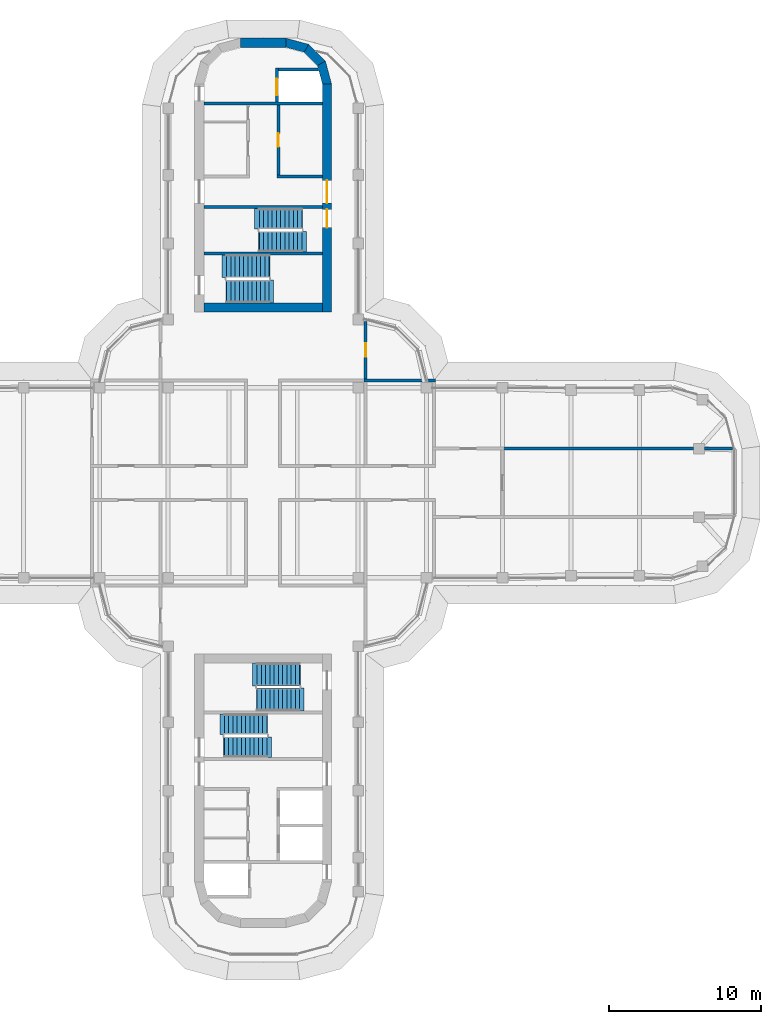
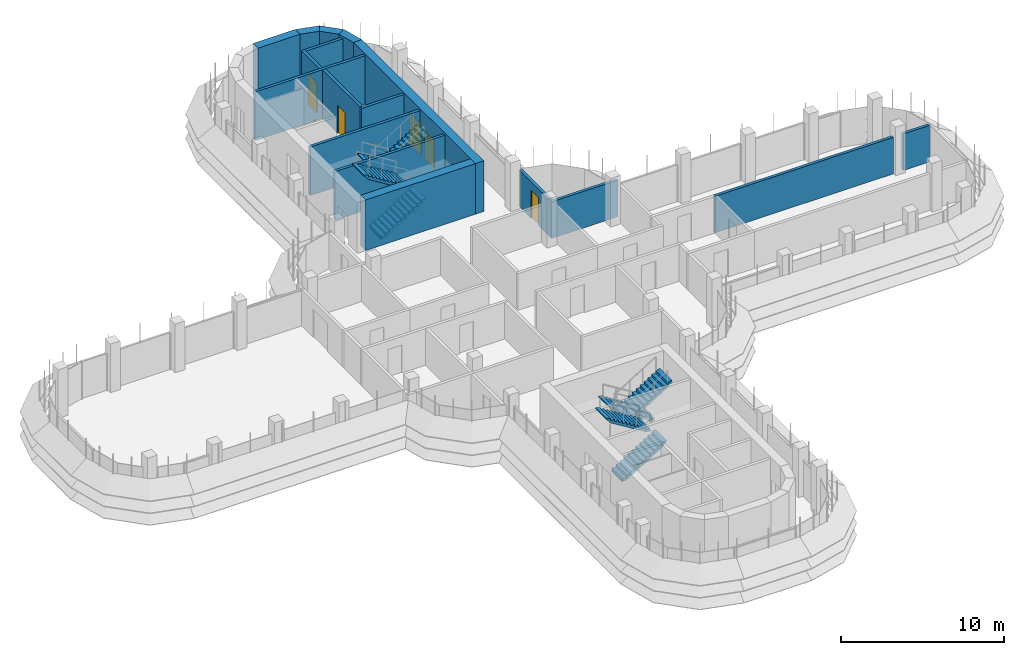
# One storey, part 15 of 19: 17 walls, 8 stair flights, 5 doors, 5 openings, 4 elements without a shape of their own.
"""IFC4 building model written with IfcOpenShell, lengths in metres."""

from ifc_helpers import new_model, si_unit, direction, frame, frame_2d, origin, place, context, subcontext, project, spatial, polyline, rectangle, outline, extrude, material, layer, layer_set, type_object, element, fill, aggregate, save


model = new_model("IFC4")

# Units and contexts
model_context = context("Model", 3, precision=1e-05, world=origin(), true_north=direction((0.0, 1.0)))
body_context = subcontext(model_context, "Body", "Model", "MODEL_VIEW")
ifc_project = project(units=[si_unit("LENGTHUNIT", "METRE"), si_unit("AREAUNIT", "SQUARE_METRE"), si_unit("VOLUMEUNIT", "CUBIC_METRE"), si_unit("PLANEANGLEUNIT", "RADIAN"), si_unit("MASSUNIT", "GRAM", prefix="KILO")], contexts=[model_context])

# Site, building, storey
site_placement = place(None, origin())
site = spatial("IfcSite", under=ifc_project, at=site_placement, CompositionType="ELEMENT")
building_placement = place(site_placement, origin())
building = spatial("IfcBuilding", under=site, at=building_placement, Name="Zarbagh Exchange Tower", CompositionType="ELEMENT")
storey_placement = place(building_placement, frame((0.0, 0.0, 233.39990234375)))
storey = spatial("IfcBuildingStorey", under=building, at=storey_placement, Name="L57", CompositionType="ELEMENT", Elevation=233.39990234375)

# Wall, opening, door
ifc_material_1 = material(Name="Fire-rated plasterboard partition")
ifc_layer_1 = layer(ifc_material_1, 0.199951171875)
ifc_layer_set_1 = layer_set([ifc_layer_1], Name="RATED PARTITION 200")
wall_type_1 = type_object("IfcWallType", Name="RATED PARTITION 200", PredefinedType="PARTITIONING", material=ifc_layer_set_1)
wall_1_placement = place(storey_placement, frame((6.75, 10.6298828125, 0.0), z_axis=(0.0, 0.0, 1.0), x_axis=(0.0, -1.0, 0.0)))
wall_1 = element("IfcWall", 1, at=wall_1_placement, inside=storey, type_object=wall_type_1, Name="Partition W-2515", PredefinedType="PARTITIONING", context=body_context, shape_type="SweptSolid", body=[
    extrude(rectangle(XDim=3.77978515625, YDim=0.199951171875, at=frame_2d((1.889892578125, 0.0))), origin(), (0.0, 0.0, 1.0), 2.745849609375),
])
opening_1_placement = place(wall_1_placement, frame((1.43994140625, 0.0, 0.0)))
opening_1 = element("IfcOpeningElement", 2, at=opening_1_placement, cuts=wall_1, Name="Opening D-2506", PredefinedType="OPENING", context=body_context, shape_type="SweptSolid", body=[
    extrude(rectangle(XDim=0.89990234375, YDim=2.10009765625, at=frame_2d((0.449951171875, 1.050048828125))), frame((0.0, 0.10986328125, 0.0), z_axis=(0.0, -1.0, 0.0), x_axis=(1.0, 0.0, 0.0)), (0.0, 0.0, 1.0), 0.219970703125),
])
ifc_material_2 = material(Name="Timber door leaf", Category="wood")
door_type_1 = type_object("IfcDoorType", Name="DOOR 900 X 2100", OperationType="NOTDEFINED", PredefinedType="DOOR", material=ifc_material_2)
door_1_placement = place(opening_1_placement, origin())
door_1 = element("IfcDoor", 3, at=door_1_placement, inside=storey, type_object=door_type_1, Name="Door D-2506", OperationType="SINGLE_SWING_RIGHT", OverallHeight=2.10009765625, OverallWidth=0.89990234375, PredefinedType="DOOR", context=body_context, shape_type="SweptSolid", body=[
    extrude(rectangle(XDim=0.89990234375, YDim=2.10009765625, at=frame_2d((0.449951171875, 1.050048828125))), frame((0.0, 0.02490234375, 0.0), z_axis=(0.0, -1.0, 0.0), x_axis=(1.0, 0.0, 0.0)), (0.0, 0.0, 1.0), 0.050048828125),
])
fill(opening_1, door_1)

# Walls
wall_2_placement = place(storey_placement, frame((6.64990234375, 6.75, 0.0), z_axis=(0.0, 0.0, 1.0), x_axis=(1.0, 0.0, 0.0)))
element("IfcWall", 4, at=wall_2_placement, inside=storey, type_object=wall_type_1, Name="Partition W-2523", PredefinedType="PARTITIONING", context=body_context, shape_type="SweptSolid", body=[
    extrude(rectangle(XDim=4.7001953125, YDim=0.199951171875, at=frame_2d((2.35009765625, 0.0))), origin(), (0.0, 0.0, 1.0), 2.745849609375),
])
wall_3_placement = place(storey_placement, frame((15.64990234375, 2.25, 0.0), z_axis=(0.0, 0.0, 1.0), x_axis=(1.0, 0.0, 0.0)))
element("IfcWall", 5, at=wall_3_placement, inside=storey, type_object=wall_type_1, Name="Partition W-2538", PredefinedType="PARTITIONING", context=body_context, shape_type="SweptSolid", body=[
    extrude(rectangle(XDim=12.670166015625, YDim=0.199951171875, at=frame_2d((6.3349609375, 0.0))), origin(), (0.0, 0.0, 1.0), 2.745849609375),
])
wall_4_placement = place(storey_placement, frame((29.02001953125, 2.25, 0.0), z_axis=(0.0, 0.0, 1.0), x_axis=(1.0, 0.0, 0.0)))
element("IfcWall", 6, at=wall_4_placement, inside=storey, type_object=wall_type_1, Name="Partition W-2539", PredefinedType="PARTITIONING", context=body_context, shape_type="SweptSolid", body=[
    extrude(rectangle(XDim=1.85986328125, YDim=0.199951171875, at=frame_2d((0.929931640625, 0.0))), origin(), (0.0, 0.0, 1.0), 2.745849609375),
])
ifc_material_3 = material(Name="Concrete C50/60", Category="concrete")
ifc_layer_2 = layer(ifc_material_3, 0.60009765625)
ifc_layer_set_2 = layer_set([ifc_layer_2], Name="RC core corner wall 600 C50/60")
wall_type_2 = type_object("IfcWallType", Name="RC core corner wall 600 C50/60", PredefinedType="SHEAR", material=ifc_layer_set_2)
wall_5_placement = place(storey_placement, origin())
element("IfcWall", 7, at=wall_5_placement, inside=storey, type_object=wall_type_2, Name="CW8 core N corner E", PredefinedType="SHEAR", context=body_context, shape_type="SweptSolid", body=[
    extrude(outline(polyline([(4.5, 26.25), (4.09814453125, 27.75), (3.57861328125, 27.449951171875), (3.89990234375, 26.25), (4.5, 26.25)])), origin(), (0.0, 0.0, 1.0), 3.800048828125),
])
wall_6_placement = place(storey_placement, origin())
element("IfcWall", 8, at=wall_6_placement, inside=storey, type_object=wall_type_2, Name="CW8 core N corner E", PredefinedType="SHEAR", context=body_context, shape_type="SweptSolid", body=[
    extrude(outline(polyline([(4.09814453125, 27.75), (3.0, 28.84814453125), (2.699951171875, 28.32861328125), (3.57861328125, 27.449951171875), (4.09814453125, 27.75)])), origin(), (0.0, 0.0, 1.0), 3.800048828125),
])
wall_7_placement = place(storey_placement, origin())
element("IfcWall", 9, at=wall_7_placement, inside=storey, type_object=wall_type_2, Name="CW8 core N corner E", PredefinedType="SHEAR", context=body_context, shape_type="SweptSolid", body=[
    extrude(outline(polyline([(3.0, 28.84814453125), (1.5, 29.25), (1.5, 28.64990234375), (2.699951171875, 28.32861328125), (3.0, 28.84814453125)])), origin(), (0.0, 0.0, 1.0), 3.800048828125),
])

# Wall, openings, doors
ifc_layer_3 = layer(ifc_material_3, 0.60009765625)
ifc_layer_set_3 = layer_set([ifc_layer_3], Name="RC core wall 600 C50/60")
wall_type_3 = type_object("IfcWallType", Name="RC core wall 600 C50/60", PredefinedType="SHEAR", material=ifc_layer_set_3)
wall_8_placement = place(storey_placement, frame((4.199951171875, 11.25, 0.0), z_axis=(0.0, 0.0, 1.0), x_axis=(0.0, 1.0, 0.0)))
wall_8 = element("IfcWall", 10, at=wall_8_placement, inside=storey, type_object=wall_type_3, Name="CW7 core N E", PredefinedType="SHEAR", context=body_context, shape_type="SweptSolid", body=[
    extrude(rectangle(XDim=15.0, YDim=0.60009765625, at=frame_2d((7.5, 0.0))), origin(), (0.0, 0.0, 1.0), 3.800048828125),
])
opening_2_placement = place(wall_8_placement, frame((7.14990234375, 0.0, 0.0)))
opening_2 = element("IfcOpeningElement", 11, at=opening_2_placement, cuts=wall_8, Name="Opening CD1-1500", PredefinedType="OPENING", context=body_context, shape_type="SweptSolid", body=[
    extrude(rectangle(XDim=1.5, YDim=2.300048828125, at=frame_2d((0.75, 1.14990234375))), frame((0.0, 0.31005859375, 0.0), z_axis=(0.0, -1.0, 0.0), x_axis=(1.0, 0.0, 0.0)), (0.0, 0.0, 1.0), 0.6201171875),
])
opening_3_placement = place(wall_8_placement, frame((5.550048828125, 0.0, 0.0)))
opening_3 = element("IfcOpeningElement", 12, at=opening_3_placement, cuts=wall_8, Name="Opening SD1-1200", PredefinedType="OPENING", context=body_context, shape_type="SweptSolid", body=[
    extrude(rectangle(XDim=1.199951171875, YDim=2.10009765625, at=frame_2d((0.60009765625, 1.050048828125))), frame((0.0, 0.31005859375, 0.0), z_axis=(0.0, -1.0, 0.0), x_axis=(1.0, 0.0, 0.0)), (0.0, 0.0, 1.0), 0.6201171875),
])
ifc_material_4 = material(Name="Steel", Category="steel")
door_type_2 = type_object("IfcDoorType", Name="Exit stair door 1200 x 2100", OperationType="NOTDEFINED", PredefinedType="DOOR", material=ifc_material_4)
door_2_placement = place(opening_3_placement, origin())
door_2 = element("IfcDoor", 13, at=door_2_placement, inside=storey, type_object=door_type_2, Name="North core stair door ST1", OperationType="SINGLE_SWING_LEFT", OverallHeight=2.10009765625, OverallWidth=1.199951171875, PredefinedType="DOOR", context=body_context, shape_type="SweptSolid", body=[
    extrude(rectangle(XDim=1.199951171875, YDim=2.10009765625, at=frame_2d((0.60009765625, 1.050048828125))), frame((0.0, 0.02490234375, 0.0), z_axis=(0.0, -1.0, 0.0), x_axis=(1.0, 0.0, 0.0)), (0.0, 0.0, 1.0), 0.050048828125),
])
fill(opening_3, door_2)
door_type_3 = type_object("IfcDoorType", Name="Lift lobby double door 1500 x 2300", OperationType="NOTDEFINED", PredefinedType="DOOR", material=ifc_material_4)
door_3_placement = place(opening_2_placement, origin())
door_3 = element("IfcDoor", 14, at=door_3_placement, inside=storey, type_object=door_type_3, Name="North core lift lobby door LOBBY-E", OperationType="DOUBLE_DOOR_SINGLE_SWING", OverallHeight=2.300048828125, OverallWidth=1.5, PredefinedType="DOOR", context=body_context, shape_type="SweptSolid", body=[
    extrude(rectangle(XDim=1.5, YDim=2.300048828125, at=frame_2d((0.75, 1.14990234375))), frame((0.0, 0.02490234375, 0.0), z_axis=(0.0, -1.0, 0.0), x_axis=(1.0, 0.0, 0.0)), (0.0, 0.0, 1.0), 0.050048828125),
])
fill(opening_2, door_3)

# Walls
wall_9_placement = place(storey_placement, frame((-3.89990234375, 11.550048828125, 0.0), z_axis=(0.0, 0.0, 1.0), x_axis=(1.0, 0.0, 0.0)))
element("IfcWall", 15, at=wall_9_placement, inside=storey, type_object=wall_type_3, Name="CW7 core N inner end", PredefinedType="SHEAR", context=body_context, shape_type="SweptSolid", body=[
    extrude(rectangle(XDim=7.7998046875, YDim=0.60009765625, at=frame_2d((3.89990234375, 0.0))), origin(), (0.0, 0.0, 1.0), 3.800048828125),
])
wall_10_placement = place(storey_placement, frame((-1.5, 28.949951171875, 0.0), z_axis=(0.0, 0.0, 1.0), x_axis=(1.0, 0.0, 0.0)))
element("IfcWall", 16, at=wall_10_placement, inside=storey, type_object=wall_type_3, Name="CW7 core N outer end", PredefinedType="SHEAR", context=body_context, shape_type="SweptSolid", body=[
    extrude(rectangle(XDim=3.0, YDim=0.60009765625, at=frame_2d((1.5, 0.0))), origin(), (0.0, 0.0, 1.0), 3.800048828125),
])
ifc_material_5 = material(Name="Dense blockwork", Category="masonry")
ifc_layer_4 = layer(ifc_material_5, 0.199951171875)
ifc_layer_set_4 = layer_set([ifc_layer_4], Name="Shaft wall 200 mm blockwork")
wall_type_4 = type_object("IfcWallType", Name="Shaft wall 200 mm blockwork", PredefinedType="PARTITIONING", material=ifc_layer_set_4)
wall_11_placement = place(storey_placement, frame((0.89990234375, 20.14990234375, 0.0), z_axis=(0.0, 0.0, 1.0), x_axis=(1.0, 0.0, 0.0)))
element("IfcWall", 17, at=wall_11_placement, inside=storey, type_object=wall_type_4, Name="North core shaft wall AB-E", PredefinedType="PARTITIONING", context=body_context, shape_type="SweptSolid", body=[
    extrude(rectangle(XDim=3.0, YDim=0.199951171875, at=frame_2d((1.5, 0.0))), origin(), (0.0, 0.0, 1.0), 3.650146484375),
])

# Wall, opening, door
wall_12_placement = place(storey_placement, frame((1.0, 24.85009765625, 0.0), z_axis=(0.0, 0.0, 1.0), x_axis=(0.0, -1.0, 0.0)))
wall_12 = element("IfcWall", 18, at=wall_12_placement, inside=storey, type_object=wall_type_4, Name="North core shaft wall LW-E", PredefinedType="PARTITIONING", context=body_context, shape_type="SweptSolid", body=[
    extrude(rectangle(XDim=4.60009765625, YDim=0.199951171875, at=frame_2d((2.300048828125, 0.0))), origin(), (0.0, 0.0, 1.0), 3.650146484375),
])
opening_4_placement = place(wall_12_placement, frame((1.85009765625, 0.0, 0.0)))
opening_4 = element("IfcOpeningElement", 19, at=opening_4_placement, cuts=wall_12, Name="Opening CD3-900", PredefinedType="OPENING", context=body_context, shape_type="SweptSolid", body=[
    extrude(rectangle(XDim=0.89990234375, YDim=2.10009765625, at=frame_2d((0.449951171875, 1.050048828125))), frame((0.0, 0.10986328125, 0.0), z_axis=(0.0, -1.0, 0.0), x_axis=(1.0, 0.0, 0.0)), (0.0, 0.0, 1.0), 0.219970703125),
])
door_type_4 = type_object("IfcDoorType", Name="Core room door 900 x 2100", OperationType="NOTDEFINED", PredefinedType="DOOR", material=ifc_material_4)
door_4_placement = place(opening_4_placement, origin())
door_4 = element("IfcDoor", 20, at=door_4_placement, inside=storey, type_object=door_type_4, Name="North core Riser store door RD-E-0", OperationType="SINGLE_SWING_RIGHT", OverallHeight=2.10009765625, OverallWidth=0.89990234375, PredefinedType="DOOR", context=body_context, shape_type="SweptSolid", body=[
    extrude(rectangle(XDim=0.89990234375, YDim=2.10009765625, at=frame_2d((0.449951171875, 1.050048828125))), frame((0.0, 0.02490234375, 0.0), z_axis=(0.0, -1.0, 0.0), x_axis=(1.0, 0.0, 0.0)), (0.0, 0.0, 1.0), 0.050048828125),
])
fill(opening_4, door_4)

# Wall
ifc_material_6 = material(Name="Concrete C40/50", Category="concrete")
ifc_layer_5 = layer(ifc_material_6, 0.199951171875)
ifc_layer_set_5 = layer_set([ifc_layer_5], Name="Stair enclosure wall 200 mm RC C40/50")
wall_type_5 = type_object("IfcWallType", Name="Stair enclosure wall 200 mm RC C40/50", PredefinedType="SHEAR", material=ifc_layer_set_5)
wall_13_placement = place(storey_placement, frame((-3.89990234375, 24.949951171875, 0.0), z_axis=(0.0, 0.0, 1.0), x_axis=(1.0, 0.0, 0.0)))
element("IfcWall", 21, at=wall_13_placement, inside=storey, type_object=wall_type_5, Name="North core lift shaft wall FFA", PredefinedType="SHEAR", context=body_context, shape_type="SweptSolid", body=[
    extrude(rectangle(XDim=7.7998046875, YDim=0.199951171875, at=frame_2d((3.89990234375, 0.0))), origin(), (0.0, 0.0, 1.0), 3.650146484375),
])

# Wall, opening, door
wall_14_placement = place(storey_placement, frame((0.89990234375, 27.300048828125, 0.0), z_axis=(0.0, 0.0, 1.0), x_axis=(0.0, -1.0, 0.0)))
wall_14 = element("IfcWall", 22, at=wall_14_placement, inside=storey, type_object=wall_type_5, Name="North core lift shaft wall FFL", PredefinedType="SHEAR", context=body_context, shape_type="SweptSolid", body=[
    extrude(rectangle(XDim=2.25, YDim=0.199951171875, at=frame_2d((1.125, 0.0))), origin(), (0.0, 0.0, 1.0), 3.650146484375),
])
opening_5_placement = place(wall_14_placement, frame((0.699951171875, 0.0, 0.0)))
opening_5 = element("IfcOpeningElement", 23, at=opening_5_placement, cuts=wall_14, Name="Opening LD-1100", PredefinedType="OPENING", context=body_context, shape_type="SweptSolid", body=[
    extrude(rectangle(XDim=1.10009765625, YDim=2.300048828125, at=frame_2d((0.550048828125, 1.14990234375))), frame((0.0, 0.10986328125, 0.0), z_axis=(0.0, -1.0, 0.0), x_axis=(1.0, 0.0, 0.0)), (0.0, 0.0, 1.0), 0.219970703125),
])
ifc_material_7 = material(Name="Stainless steel", Category="steel")
door_type_5 = type_object("IfcDoorType", Name="Lift landing door 1100 x 2300", OperationType="NOTDEFINED", PredefinedType="DOOR", material=ifc_material_7)
door_5_placement = place(opening_5_placement, origin())
door_5 = element("IfcDoor", 24, at=door_5_placement, inside=storey, type_object=door_type_5, Name="North core lift landing door LD-F", OperationType="DOUBLE_DOOR_SLIDING", OverallHeight=2.300048828125, OverallWidth=1.10009765625, PredefinedType="DOOR", context=body_context, shape_type="SweptSolid", body=[
    extrude(rectangle(XDim=1.10009765625, YDim=2.300048828125, at=frame_2d((0.550048828125, 1.14990234375))), frame((0.0, 0.02490234375, 0.0), z_axis=(0.0, -1.0, 0.0), x_axis=(1.0, 0.0, 0.0)), (0.0, 0.0, 1.0), 0.050048828125),
])
fill(opening_5, door_5)

# Walls
wall_15_placement = place(storey_placement, origin())
element("IfcWall", 25, at=wall_15_placement, inside=storey, type_object=wall_type_5, Name="North core lift shaft wall FFX", PredefinedType="SHEAR", context=body_context, shape_type="SweptSolid", body=[
    extrude(outline(polyline([(1.0, 27.10009765625), (3.651123046875, 27.10009765625), (3.597412109375, 27.300048828125), (1.0, 27.300048828125), (1.0, 27.10009765625)])), origin(), (0.0, 0.0, 1.0), 3.650146484375),
])
for number, where, z_axis, x_axis, name in (
    (26, (-3.89990234375, 18.14990234375, 0.0), (0.0, 0.0, 1.0), (1.0, 0.0, 0.0), "North core stair wall BS"),
    (27, (-3.89990234375, 15.10009765625, 0.0), (0.0, 0.0, 1.0), (1.0, 0.0, 0.0), "North core stair wall ST12"),
):
    element("IfcWall", number, at=place(storey_placement, frame(where, z_axis=z_axis, x_axis=x_axis)), inside=storey, type_object=wall_type_5, Name=name, PredefinedType="SHEAR", context=body_context, shape_type="SweptSolid", body=[
        extrude(rectangle(XDim=7.7998046875, YDim=0.199951171875, at=frame_2d((3.89990234375, 0.0))), origin(), (0.0, 0.0, 1.0), 3.650146484375),
    ])

# Stair, stair flights
stair_type = type_object("IfcStairType", Name="Exit stair two-flight half-turn", PredefinedType="HALF_TURN_STAIR", material=ifc_material_6)
stair_1_placement = place(storey_placement, origin())
stair_1 = element("IfcStair", 28, at=stair_1_placement, inside=storey, type_object=stair_type, Name="exit stair ST1", PredefinedType="HALF_TURN_STAIR")
stair_flight_type_1 = type_object("IfcStairFlightType", Name="Stair flight 1350 mm", PredefinedType="STRAIGHT", material=ifc_material_6)
stair_flight_1_placement = place(storey_placement, frame((2.550048828125, 17.375, 0.0), z_axis=(0.0, 0.0, 1.0), x_axis=(-1.0, 0.0, 0.0)))
stair_flight_1 = element("IfcStairFlight", 29, at=stair_flight_1_placement, type_object=stair_flight_type_1, Name="ST1 flight 1", NumberOfRisers=11, NumberOfTreads=10, PredefinedType="STRAIGHT", RiserHeight=0.172727273, TreadLength=0.28, context=body_context, shape_type="SweptSolid", body=[
    extrude(outline(polyline([(-0.050048828125, -0.050048828125), (-0.050048828125, 0.0), (0.0, 0.0), (0.0, 0.172607421875), (0.280029296875, 0.172607421875), (0.280029296875, 0.345458984375), (0.56005859375, 0.345458984375), (0.56005859375, 0.51806640625), (0.840087890625, 0.51806640625), (0.840087890625, 0.69091796875), (1.1201171875, 0.69091796875), (1.1201171875, 0.863525390625), (1.39990234375, 0.863525390625), (1.39990234375, 1.036376953125), (1.679931640625, 1.036376953125), (1.679931640625, 1.208984375), (1.9599609375, 1.208984375), (1.9599609375, 1.3818359375), (2.239990234375, 1.3818359375), (2.239990234375, 1.554443359375), (2.52001953125, 1.554443359375), (2.52001953125, 1.727294921875), (2.800048828125, 1.727294921875), (2.800048828125, 1.89990234375), (3.10009765625, 1.97998046875), (3.10009765625, 1.89990234375), (2.800048828125, 1.551025390625), (0.285400390625, 0.0), (-0.050048828125, -0.050048828125)])), frame((0.0, 0.675048828125, 0.0), z_axis=(0.0, -1.0, 0.0), x_axis=(1.0, 0.0, 0.0)), (0.0, 0.0, 1.0), 1.35009765625),
])
stair_flight_2_placement = place(storey_placement, frame((-0.25, 15.875, 1.900146484375), z_axis=(0.0, 0.0, 1.0), x_axis=(1.0, 0.0, 0.0)))
stair_flight_2 = element("IfcStairFlight", 30, at=stair_flight_2_placement, type_object=stair_flight_type_1, Name="ST1 flight 2", NumberOfRisers=11, NumberOfTreads=10, PredefinedType="STRAIGHT", RiserHeight=0.172727273, TreadLength=0.28, context=body_context, shape_type="SweptSolid", body=[
    extrude(outline(polyline([(-0.050048828125, -0.050048828125), (-0.050048828125, 0.0), (0.0, 0.0), (0.0, 0.172607421875), (0.280029296875, 0.172607421875), (0.280029296875, 0.345458984375), (0.56005859375, 0.345458984375), (0.56005859375, 0.51806640625), (0.840087890625, 0.51806640625), (0.840087890625, 0.69091796875), (1.1201171875, 0.69091796875), (1.1201171875, 0.863525390625), (1.39990234375, 0.863525390625), (1.39990234375, 1.036376953125), (1.679931640625, 1.036376953125), (1.679931640625, 1.208984375), (1.9599609375, 1.208984375), (1.9599609375, 1.3818359375), (2.239990234375, 1.3818359375), (2.239990234375, 1.554443359375), (2.52001953125, 1.554443359375), (2.52001953125, 1.727294921875), (2.800048828125, 1.727294921875), (2.800048828125, 1.89990234375), (3.10009765625, 1.97998046875), (3.10009765625, 1.89990234375), (2.800048828125, 1.551025390625), (0.285400390625, 0.0), (-0.050048828125, -0.050048828125)])), frame((0.0, 0.675048828125, 0.0), z_axis=(0.0, -1.0, 0.0), x_axis=(1.0, 0.0, 0.0)), (0.0, 0.0, 1.0), 1.35009765625),
])
aggregate(stair_1, [stair_flight_1, stair_flight_2])

stair_2_placement = place(storey_placement, origin())
stair_2 = element("IfcStair", 31, at=stair_2_placement, inside=storey, type_object=stair_type, Name="exit stair ST3", PredefinedType="HALF_TURN_STAIR")
stair_flight_3_placement = place(storey_placement, frame((-2.550048828125, -17.375, 0.0), z_axis=(0.0, 0.0, 1.0), x_axis=(1.0, 0.0, 0.0)))
stair_flight_3 = element("IfcStairFlight", 32, at=stair_flight_3_placement, type_object=stair_flight_type_1, Name="ST3 flight 1", NumberOfRisers=11, NumberOfTreads=10, PredefinedType="STRAIGHT", RiserHeight=0.172727273, TreadLength=0.28, context=body_context, shape_type="SweptSolid", body=[
    extrude(outline(polyline([(-0.050048828125, -0.050048828125), (-0.050048828125, 0.0), (0.0, 0.0), (0.0, 0.172607421875), (0.280029296875, 0.172607421875), (0.280029296875, 0.345458984375), (0.56005859375, 0.345458984375), (0.56005859375, 0.51806640625), (0.840087890625, 0.51806640625), (0.840087890625, 0.69091796875), (1.1201171875, 0.69091796875), (1.1201171875, 0.863525390625), (1.39990234375, 0.863525390625), (1.39990234375, 1.036376953125), (1.679931640625, 1.036376953125), (1.679931640625, 1.208984375), (1.9599609375, 1.208984375), (1.9599609375, 1.3818359375), (2.239990234375, 1.3818359375), (2.239990234375, 1.554443359375), (2.52001953125, 1.554443359375), (2.52001953125, 1.727294921875), (2.800048828125, 1.727294921875), (2.800048828125, 1.89990234375), (3.10009765625, 1.97998046875), (3.10009765625, 1.89990234375), (2.800048828125, 1.551025390625), (0.285400390625, 0.0), (-0.050048828125, -0.050048828125)])), frame((0.0, 0.675048828125, 0.0), z_axis=(0.0, -1.0, 0.0), x_axis=(1.0, 0.0, 0.0)), (0.0, 0.0, 1.0), 1.35009765625),
])
stair_flight_4_placement = place(storey_placement, frame((0.25, -15.875, 1.900146484375), z_axis=(0.0, 0.0, 1.0), x_axis=(-1.0, 0.0, 0.0)))
stair_flight_4 = element("IfcStairFlight", 33, at=stair_flight_4_placement, type_object=stair_flight_type_1, Name="ST3 flight 2", NumberOfRisers=11, NumberOfTreads=10, PredefinedType="STRAIGHT", RiserHeight=0.172727273, TreadLength=0.28, context=body_context, shape_type="SweptSolid", body=[
    extrude(outline(polyline([(-0.050048828125, -0.050048828125), (-0.050048828125, 0.0), (0.0, 0.0), (0.0, 0.172607421875), (0.280029296875, 0.172607421875), (0.280029296875, 0.345458984375), (0.56005859375, 0.345458984375), (0.56005859375, 0.51806640625), (0.840087890625, 0.51806640625), (0.840087890625, 0.69091796875), (1.1201171875, 0.69091796875), (1.1201171875, 0.863525390625), (1.39990234375, 0.863525390625), (1.39990234375, 1.036376953125), (1.679931640625, 1.036376953125), (1.679931640625, 1.208984375), (1.9599609375, 1.208984375), (1.9599609375, 1.3818359375), (2.239990234375, 1.3818359375), (2.239990234375, 1.554443359375), (2.52001953125, 1.554443359375), (2.52001953125, 1.727294921875), (2.800048828125, 1.727294921875), (2.800048828125, 1.89990234375), (3.10009765625, 1.97998046875), (3.10009765625, 1.89990234375), (2.800048828125, 1.551025390625), (0.285400390625, 0.0), (-0.050048828125, -0.050048828125)])), frame((0.0, 0.675048828125, 0.0), z_axis=(0.0, -1.0, 0.0), x_axis=(1.0, 0.0, 0.0)), (0.0, 0.0, 1.0), 1.35009765625),
])
aggregate(stair_2, [stair_flight_3, stair_flight_4])

stair_3_placement = place(storey_placement, origin())
stair_3 = element("IfcStair", 34, at=stair_3_placement, inside=storey, type_object=stair_type, Name="exit stair ST2", PredefinedType="HALF_TURN_STAIR")
stair_flight_type_2 = type_object("IfcStairFlightType", Name="Stair flight 1500 mm", PredefinedType="STRAIGHT", material=ifc_material_6)
stair_flight_5_placement = place(storey_placement, frame((-2.39990234375, 12.60009765625, 0.0), z_axis=(0.0, 0.0, 1.0), x_axis=(1.0, 0.0, 0.0)))
stair_flight_5 = element("IfcStairFlight", 35, at=stair_flight_5_placement, type_object=stair_flight_type_2, Name="ST2 flight 1", NumberOfRisers=11, NumberOfTreads=10, PredefinedType="STRAIGHT", RiserHeight=0.172727273, TreadLength=0.28, context=body_context, shape_type="SweptSolid", body=[
    extrude(outline(polyline([(-0.050048828125, -0.050048828125), (-0.050048828125, 0.0), (0.0, 0.0), (0.0, 0.172607421875), (0.280029296875, 0.172607421875), (0.280029296875, 0.345458984375), (0.56005859375, 0.345458984375), (0.56005859375, 0.51806640625), (0.840087890625, 0.51806640625), (0.840087890625, 0.69091796875), (1.1201171875, 0.69091796875), (1.1201171875, 0.863525390625), (1.39990234375, 0.863525390625), (1.39990234375, 1.036376953125), (1.679931640625, 1.036376953125), (1.679931640625, 1.208984375), (1.9599609375, 1.208984375), (1.9599609375, 1.3818359375), (2.239990234375, 1.3818359375), (2.239990234375, 1.554443359375), (2.52001953125, 1.554443359375), (2.52001953125, 1.727294921875), (2.800048828125, 1.727294921875), (2.800048828125, 1.89990234375), (3.10009765625, 1.97998046875), (3.10009765625, 1.89990234375), (2.800048828125, 1.551025390625), (0.285400390625, 0.0), (-0.050048828125, -0.050048828125)])), frame((0.0, 0.75, 0.0), z_axis=(0.0, -1.0, 0.0), x_axis=(1.0, 0.0, 0.0)), (0.0, 0.0, 1.0), 1.5),
])
stair_flight_6_placement = place(storey_placement, frame((0.39990234375, 14.25, 1.900146484375), z_axis=(0.0, 0.0, 1.0), x_axis=(-1.0, 0.0, 0.0)))
stair_flight_6 = element("IfcStairFlight", 36, at=stair_flight_6_placement, type_object=stair_flight_type_2, Name="ST2 flight 2", NumberOfRisers=11, NumberOfTreads=10, PredefinedType="STRAIGHT", RiserHeight=0.172727273, TreadLength=0.28, context=body_context, shape_type="SweptSolid", body=[
    extrude(outline(polyline([(-0.050048828125, -0.050048828125), (-0.050048828125, 0.0), (0.0, 0.0), (0.0, 0.172607421875), (0.280029296875, 0.172607421875), (0.280029296875, 0.345458984375), (0.56005859375, 0.345458984375), (0.56005859375, 0.51806640625), (0.840087890625, 0.51806640625), (0.840087890625, 0.69091796875), (1.1201171875, 0.69091796875), (1.1201171875, 0.863525390625), (1.39990234375, 0.863525390625), (1.39990234375, 1.036376953125), (1.679931640625, 1.036376953125), (1.679931640625, 1.208984375), (1.9599609375, 1.208984375), (1.9599609375, 1.3818359375), (2.239990234375, 1.3818359375), (2.239990234375, 1.554443359375), (2.52001953125, 1.554443359375), (2.52001953125, 1.727294921875), (2.800048828125, 1.727294921875), (2.800048828125, 1.89990234375), (3.10009765625, 1.97998046875), (3.10009765625, 1.89990234375), (2.800048828125, 1.551025390625), (0.285400390625, 0.0), (-0.050048828125, -0.050048828125)])), frame((0.0, 0.75, 0.0), z_axis=(0.0, -1.0, 0.0), x_axis=(1.0, 0.0, 0.0)), (0.0, 0.0, 1.0), 1.5),
])
aggregate(stair_3, [stair_flight_5, stair_flight_6])

stair_4_placement = place(storey_placement, origin())
stair_4 = element("IfcStair", 37, at=stair_4_placement, inside=storey, type_object=stair_type, Name="exit stair ST4", PredefinedType="HALF_TURN_STAIR")
stair_flight_7_placement = place(storey_placement, frame((2.39990234375, -12.60009765625, 0.0), z_axis=(0.0, 0.0, 1.0), x_axis=(-1.0, 0.0, 0.0)))
stair_flight_7 = element("IfcStairFlight", 38, at=stair_flight_7_placement, type_object=stair_flight_type_2, Name="ST4 flight 1", NumberOfRisers=11, NumberOfTreads=10, PredefinedType="STRAIGHT", RiserHeight=0.172727273, TreadLength=0.28, context=body_context, shape_type="SweptSolid", body=[
    extrude(outline(polyline([(-0.050048828125, -0.050048828125), (-0.050048828125, 0.0), (0.0, 0.0), (0.0, 0.172607421875), (0.280029296875, 0.172607421875), (0.280029296875, 0.345458984375), (0.56005859375, 0.345458984375), (0.56005859375, 0.51806640625), (0.840087890625, 0.51806640625), (0.840087890625, 0.69091796875), (1.1201171875, 0.69091796875), (1.1201171875, 0.863525390625), (1.39990234375, 0.863525390625), (1.39990234375, 1.036376953125), (1.679931640625, 1.036376953125), (1.679931640625, 1.208984375), (1.9599609375, 1.208984375), (1.9599609375, 1.3818359375), (2.239990234375, 1.3818359375), (2.239990234375, 1.554443359375), (2.52001953125, 1.554443359375), (2.52001953125, 1.727294921875), (2.800048828125, 1.727294921875), (2.800048828125, 1.89990234375), (3.10009765625, 1.97998046875), (3.10009765625, 1.89990234375), (2.800048828125, 1.551025390625), (0.285400390625, 0.0), (-0.050048828125, -0.050048828125)])), frame((0.0, 0.75, 0.0), z_axis=(0.0, -1.0, 0.0), x_axis=(1.0, 0.0, 0.0)), (0.0, 0.0, 1.0), 1.5),
])
stair_flight_8_placement = place(storey_placement, frame((-0.39990234375, -14.25, 1.900146484375), z_axis=(0.0, 0.0, 1.0), x_axis=(1.0, 0.0, 0.0)))
stair_flight_8 = element("IfcStairFlight", 39, at=stair_flight_8_placement, type_object=stair_flight_type_2, Name="ST4 flight 2", NumberOfRisers=11, NumberOfTreads=10, PredefinedType="STRAIGHT", RiserHeight=0.172727273, TreadLength=0.28, context=body_context, shape_type="SweptSolid", body=[
    extrude(outline(polyline([(-0.050048828125, -0.050048828125), (-0.050048828125, 0.0), (0.0, 0.0), (0.0, 0.172607421875), (0.280029296875, 0.172607421875), (0.280029296875, 0.345458984375), (0.56005859375, 0.345458984375), (0.56005859375, 0.51806640625), (0.840087890625, 0.51806640625), (0.840087890625, 0.69091796875), (1.1201171875, 0.69091796875), (1.1201171875, 0.863525390625), (1.39990234375, 0.863525390625), (1.39990234375, 1.036376953125), (1.679931640625, 1.036376953125), (1.679931640625, 1.208984375), (1.9599609375, 1.208984375), (1.9599609375, 1.3818359375), (2.239990234375, 1.3818359375), (2.239990234375, 1.554443359375), (2.52001953125, 1.554443359375), (2.52001953125, 1.727294921875), (2.800048828125, 1.727294921875), (2.800048828125, 1.89990234375), (3.10009765625, 1.97998046875), (3.10009765625, 1.89990234375), (2.800048828125, 1.551025390625), (0.285400390625, 0.0), (-0.050048828125, -0.050048828125)])), frame((0.0, 0.75, 0.0), z_axis=(0.0, -1.0, 0.0), x_axis=(1.0, 0.0, 0.0)), (0.0, 0.0, 1.0), 1.5),
])
aggregate(stair_4, [stair_flight_7, stair_flight_8])

save(model, "model.ifc")
